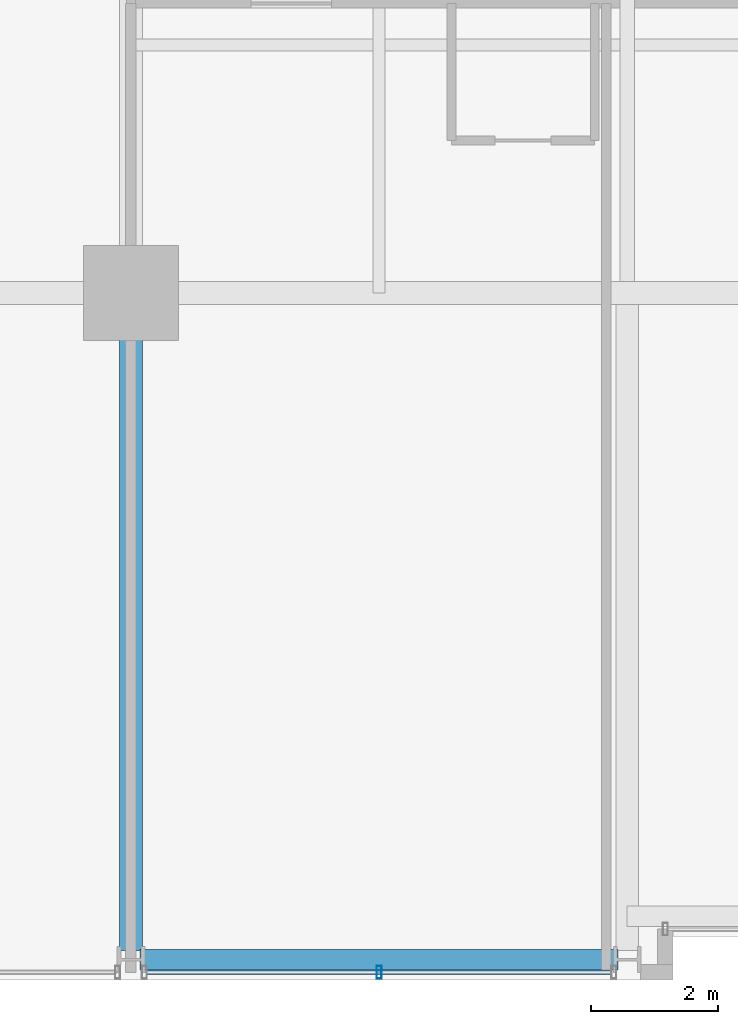
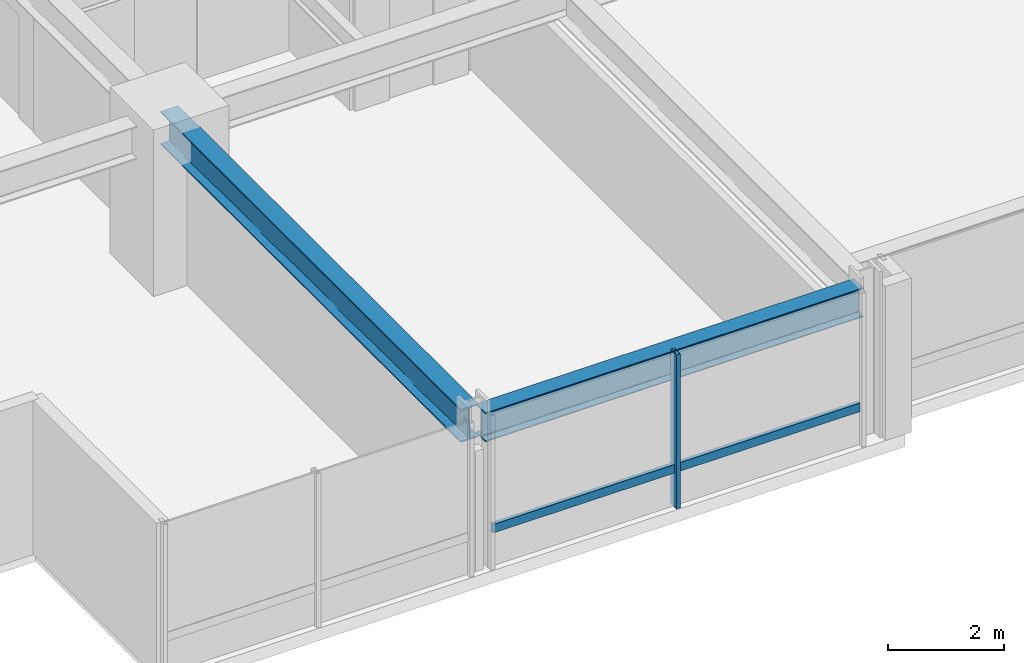
# One storey, part 3 of 34: 2 beams, 2 members, 1 element without a shape of its own.
"""IFC4 building model written with IfcOpenShell, lengths in metres."""

from ifc_helpers import new_model, si_unit, direction, frame, origin, origin_2d, place, context, subcontext, project, spatial, hollow_rectangle, i_section, extrude, material, layer, layer_set, material_profile, profile_set, type_object, element, aggregate, save


model = new_model("IFC4")

# Units and contexts
model_context = context("Model", 3, precision=1e-05, world=origin(), true_north=direction((0.0, 1.0)))
body_context = subcontext(model_context, "Body", "Model", "MODEL_VIEW")
ifc_project = project(units=[si_unit("LENGTHUNIT", "METRE"), si_unit("AREAUNIT", "SQUARE_METRE"), si_unit("VOLUMEUNIT", "CUBIC_METRE"), si_unit("PLANEANGLEUNIT", "RADIAN"), si_unit("MASSUNIT", "GRAM", prefix="KILO")], contexts=[model_context])

# Site, building, storey
site_placement = place(None, origin())
site = spatial("IfcSite", under=ifc_project, at=site_placement, CompositionType="ELEMENT")
building_placement = place(site_placement, origin())
building = spatial("IfcBuilding", under=site, at=building_placement, Name="Drelvath Grand Hotel", CompositionType="ELEMENT")
storey_placement = place(building_placement, frame((0.0, 0.0, 126.800048828125)))
storey = spatial("IfcBuildingStorey", under=building, at=storey_placement, Name="L32", CompositionType="ELEMENT", Elevation=126.800048828125)

# Curtain wall, members
ifc_material_1 = material(Name="Champagne Bronze Anodised Aluminium Frame", Category="aluminium")
ifc_layer = layer(ifc_material_1, 0.199951171875)
ifc_layer_set = layer_set([ifc_layer], Name="Champagne Bronze Anodised Aluminium Frame")
curtain_wall_type = type_object("IfcCurtainWallType", Name="Stick Curtain Wall CW-03 Champagne Bronze Mid-Rise", PredefinedType="NOTDEFINED", material=ifc_layer_set)
curtain_wall_placement = place(storey_placement, origin())
curtain_wall = element("IfcCurtainWall", 1, at=curtain_wall_placement, inside=storey, type_object=curtain_wall_type, Name="L32 CW-03 Curtain Wall CW03-L32-SW2", PredefinedType="NOTDEFINED")
ifc_material_profile_1 = material_profile(ifc_material_1, hollow_rectangle(XDim=0.074951171875, YDim=0.179931640625, WallThickness=0.0048828125, at=origin_2d()), Name="HSS180X75X5")
ifc_profile_set_1 = profile_set([ifc_material_profile_1], Name="Champagne Bronze Anodised Aluminium Frame")
member_type_1 = type_object("IfcMemberType", Name="Curtain Wall Horizontal Transom CW-03 HSS180X75X5", PredefinedType="USERDEFINED", material=ifc_profile_set_1)
member_1_placement = place(storey_placement, frame((-8.6494140625, 0.1201171875, 0.81005859375), z_axis=(-1.0, 0.0, 0.0), x_axis=(0.0, -1.0, 0.0)))
member_1 = element("IfcMember", 2, at=member_1_placement, type_object=member_type_1, Name="CW03-L32-SW2 Sill Transom", ObjectType="TRANSOM", PredefinedType="USERDEFINED", context=body_context, shape_type="SweptSolid", body=[
    extrude(hollow_rectangle(XDim=0.074951171875, YDim=0.179931640625, WallThickness=0.0048828125, at=origin_2d()), origin(), (0.0, 0.0, 1.0), 7.30126953125),
])
ifc_material_profile_2 = material_profile(ifc_material_1, hollow_rectangle(XDim=0.080078125, YDim=0.199951171875, WallThickness=0.0048828125, at=origin_2d()), Name="HSS200X80X5")
ifc_profile_set_2 = profile_set([ifc_material_profile_2], Name="Champagne Bronze Anodised Aluminium Frame")
member_type_2 = type_object("IfcMemberType", Name="Curtain Wall Vertical Mullion CW-03 HSS200X80X5", PredefinedType="MULLION", material=ifc_profile_set_2)
member_2_placement = place(storey_placement, frame((-12.300048828125, 0.1201171875, 0.0), z_axis=(0.0, 0.0, 1.0), x_axis=(1.0, 0.0, 0.0)))
member_2 = element("IfcMember", 3, at=member_2_placement, type_object=member_type_2, Name="CW03-L32-SW2 Mullion 2", PredefinedType="MULLION", context=body_context, shape_type="SweptSolid", body=[
    extrude(hollow_rectangle(XDim=0.080078125, YDim=0.199951171875, WallThickness=0.0048828125, at=origin_2d()), origin(), (0.0, 0.0, 1.0), 3.239990234375),
])
aggregate(curtain_wall, [member_2, member_1])

# Beams
ifc_material_2 = material(Name="Steel ASTM A992 Gr 50", Category="steel")
ifc_material_profile_3 = material_profile(ifc_material_2, i_section(OverallWidth=0.323974609375, OverallDepth=0.611083984375, WebThickness=0.0126953125, FlangeThickness=0.01904296875, FilletRadius=0.02197265625, at=origin_2d()), Name="W24X104")
ifc_profile_set_3 = profile_set([ifc_material_profile_3], Name="Steel ASTM A992 Gr 50")
beam_type_1 = type_object("IfcBeamType", Name="Perimeter Spandrel Beam W24X104", PredefinedType="SPANDREL", material=ifc_profile_set_3)
beam_1_placement = place(storey_placement, frame((-16.06005859375, 0.320068359375, 2.934326171875), z_axis=(1.0, 0.0, 0.0), x_axis=(0.0, 1.0, 0.0)))
element("IfcBeam", 4, at=beam_1_placement, inside=storey, type_object=beam_type_1, Name="L32 Spandrel South W", PredefinedType="SPANDREL", context=body_context, shape_type="SweptSolid", body=[
    extrude(i_section(OverallWidth=0.323974609375, OverallDepth=0.611083984375, WebThickness=0.0126953125, FlangeThickness=0.01904296875, FilletRadius=0.02197265625, at=origin_2d()), origin(), (0.0, 0.0, 1.0), 7.52001953125),
])
ifc_material_profile_4 = material_profile(ifc_material_2, i_section(OverallWidth=0.354736328125, OverallDepth=0.695556640625, WebThickness=0.015380859375, FlangeThickness=0.025146484375, FilletRadius=0.02392578125, at=origin_2d()), Name="W27X146")
ifc_profile_set_4 = profile_set([ifc_material_profile_4], Name="Steel ASTM A992 Gr 50")
beam_type_2 = type_object("IfcBeamType", Name="Primary Floor Girder W27X146", PredefinedType="BEAM", material=ifc_profile_set_4)
beam_2_placement = place(storey_placement, frame((-16.199951171875, 0.4599609375, 2.892333984375), z_axis=(0.0, 1.0, 0.0), x_axis=(-1.0, 0.0, 0.0)))
element("IfcBeam", 5, at=beam_2_placement, inside=storey, type_object=beam_type_2, Name="L32 South Grid Girder 3", PredefinedType="BEAM", context=body_context, shape_type="SweptSolid", body=[
    extrude(i_section(OverallWidth=0.354736328125, OverallDepth=0.695556640625, WebThickness=0.015380859375, FlangeThickness=0.025146484375, FilletRadius=0.02392578125, at=origin_2d()), origin(), (0.0, 0.0, 1.0), 10.340087890625),
])

save(model, "model.ifc")
